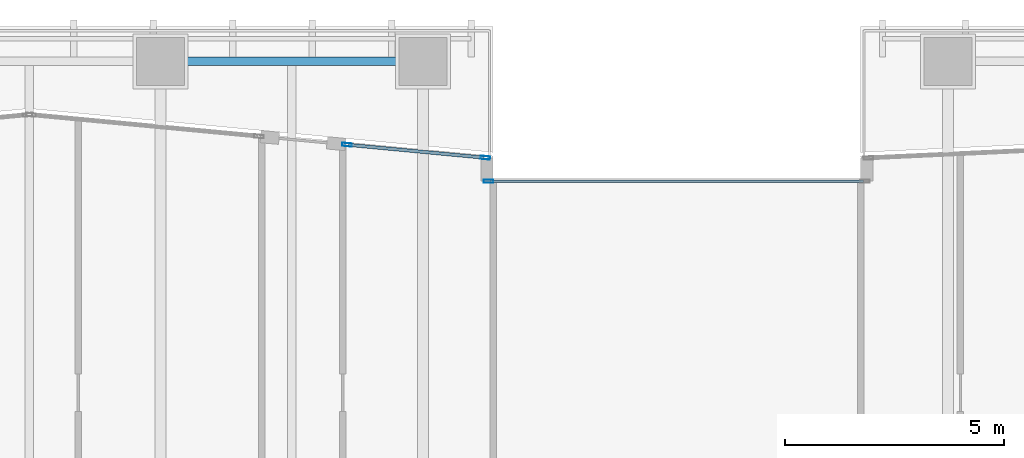
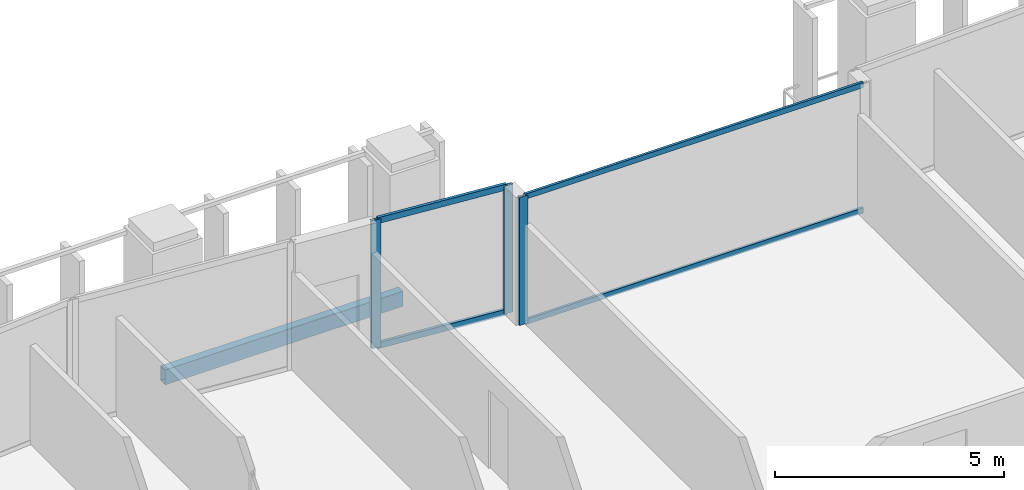
# One storey, part 10 of 31: 7 members, 1 beam, 2 elements without a shape of their own.
"""IFC4 building model written with IfcOpenShell, lengths in metres."""

from ifc_helpers import new_model, si_unit, direction, frame, origin, origin_2d, place, context, subcontext, project, spatial, hollow_rectangle, extrude, material, layer, layer_set, material_profile, profile_set, type_object, element, aggregate, save


model = new_model("IFC4")

# Units and contexts
model_context = context("Model", 3, precision=1e-05, world=origin(), true_north=direction((0.0, 1.0)))
body_context = subcontext(model_context, "Body", "Model", "MODEL_VIEW")
ifc_project = project(units=[si_unit("LENGTHUNIT", "METRE"), si_unit("AREAUNIT", "SQUARE_METRE"), si_unit("VOLUMEUNIT", "CUBIC_METRE"), si_unit("PLANEANGLEUNIT", "RADIAN"), si_unit("MASSUNIT", "GRAM", prefix="KILO")], contexts=[model_context])

# Site, building, storey
site_placement = place(None, origin())
site = spatial("IfcSite", under=ifc_project, at=site_placement, CompositionType="ELEMENT")
building_placement = place(site_placement, origin())
building = spatial("IfcBuilding", under=site, at=building_placement, Name="Tanjung Sevakor Pilgrim Tower", CompositionType="ELEMENT")
storey_placement = place(building_placement, frame((0.0, 0.0, 58.739990234375)))
storey = spatial("IfcBuildingStorey", under=building, at=storey_placement, Name="L16", CompositionType="ELEMENT", Elevation=58.739990234375)

# Beam
ifc_material_1 = material(Name="Steel S355J2", Category="steel")
ifc_material_profile_1 = material_profile(ifc_material_1, hollow_rectangle(XDim=0.199951171875, YDim=0.39990234375, WallThickness=0.01611328125, at=origin_2d()))
ifc_profile_set_1 = profile_set([ifc_material_profile_1], Name="Steel S355J2")
beam_type = type_object("IfcBeamType", Name="BM-B-SP2-RHS_400x200x16", PredefinedType="SPANDREL", material=ifc_profile_set_1)
beam_placement = place(storey_placement, frame((36.0, 58.800048828125, -0.419921875), z_axis=(1.0, 0.0, 0.0), x_axis=(0.0, 1.0, 0.0)))
element("IfcBeam", 1, at=beam_placement, inside=storey, type_object=beam_type, Name="L16 Spandrel MAIN N-06", PredefinedType="SPANDREL", context=body_context, shape_type="SweptSolid", body=[
    extrude(hollow_rectangle(XDim=0.199951171875, YDim=0.39990234375, WallThickness=0.01611328125, at=origin_2d()), origin(), (0.0, 0.0, 1.0), 6.0),
])

# Curtain wall, member
ifc_material_2 = material(Name="Aluminium 6063-T6 and Low-E Glass", Category="aluminium")
ifc_layer_1 = layer(ifc_material_2, 0.179931640625)
ifc_layer_set_1 = layer_set([ifc_layer_1], Name="CW-SYS-CLEFT")
curtain_wall_type_1 = type_object("IfcCurtainWallType", Name="CW-SYS-CLEFT", PredefinedType="NOTDEFINED", material=ifc_layer_set_1)
curtain_wall_1_placement = place(storey_placement, origin())
curtain_wall_1 = element("IfcCurtainWall", 2, at=curtain_wall_1_placement, inside=storey, type_object=curtain_wall_type_1, Name="L16 Curtain Wall CW-CLF-L16-25", PredefinedType="NOTDEFINED")
ifc_material_3 = material(Name="Aluminium 6063-T6", Category="aluminium")
ifc_material_profile_2 = material_profile(ifc_material_3, hollow_rectangle(XDim=0.074951171875, YDim=0.219970703125, WallThickness=0.0048828125, at=origin_2d()))
ifc_profile_set_2 = profile_set([ifc_material_profile_2], Name="Aluminium 6063-T6")
member_type_1 = type_object("IfcMemberType", Name="TYPE-CWM-2", PredefinedType="MULLION", material=ifc_profile_set_2)
member_1_placement = place(storey_placement, frame((43.49755859375, 56.06005859375, 0.0), z_axis=(0.0, 0.0, 1.0), x_axis=(0.0, -1.0, 0.0)))
member_1 = element("IfcMember", 3, at=member_1_placement, type_object=member_type_1, Name="CW-CLF mullion 2", PredefinedType="MULLION", context=body_context, shape_type="SweptSolid", body=[
    extrude(hollow_rectangle(XDim=0.074951171875, YDim=0.219970703125, WallThickness=0.0048828125, at=origin_2d()), origin(), (0.0, 0.0, 1.0), 3.409912109375),
])

# Curtain wall, members
ifc_material_4 = material(Name="Aluminium 6063-T6 and Low-E Glass", Category="aluminium")
ifc_layer_2 = layer(ifc_material_4, 0.199951171875)
ifc_layer_set_2 = layer_set([ifc_layer_2], Name="CW-SYS-PRAY")
curtain_wall_type_2 = type_object("IfcCurtainWallType", Name="CW-SYS-PRAY", PredefinedType="NOTDEFINED", material=ifc_layer_set_2)
curtain_wall_2_placement = place(storey_placement, origin())
curtain_wall_2 = element("IfcCurtainWall", 4, at=curtain_wall_2_placement, inside=storey, type_object=curtain_wall_type_2, Name="L16 Curtain Wall CW-PRY-L16-27A", PredefinedType="NOTDEFINED")
member_2_placement = place(storey_placement, frame((43.422607421875, 56.59619140625, 0.0), z_axis=(0.0, 0.0, 1.0), x_axis=(-0.0939087841, -0.995580805494, 0.0)))
member_2 = element("IfcMember", 5, at=member_2_placement, type_object=member_type_1, Name="CW-PRY mullion 1", PredefinedType="MULLION", context=body_context, shape_type="SweptSolid", body=[
    extrude(hollow_rectangle(XDim=0.074951171875, YDim=0.219970703125, WallThickness=0.0048828125, at=origin_2d()), origin(), (0.0, 0.0, 1.0), 3.409912109375),
])
member_3_placement = place(storey_placement, frame((40.26171875, 56.894287109375, 0.0), z_axis=(0.0, 0.0, 1.0), x_axis=(-0.0939087841, -0.995580805494, 0.0)))
member_3 = element("IfcMember", 6, at=member_3_placement, type_object=member_type_1, Name="CW-PRY mullion 2", PredefinedType="MULLION", context=body_context, shape_type="SweptSolid", body=[
    extrude(hollow_rectangle(XDim=0.074951171875, YDim=0.219970703125, WallThickness=0.0048828125, at=origin_2d()), origin(), (0.0, 0.0, 1.0), 3.409912109375),
])

# Member
ifc_material_5 = material(Name="Aluminium 6063-T6", Category="aluminium")
ifc_material_profile_3 = material_profile(ifc_material_5, hollow_rectangle(XDim=0.06494140625, YDim=0.139892578125, WallThickness=0.00390625, at=origin_2d()))
ifc_profile_set_3 = profile_set([ifc_material_profile_3], Name="Aluminium 6063-T6")
member_type_2 = type_object("IfcMemberType", Name="TYPE-CWT-1", PredefinedType="USERDEFINED", material=ifc_profile_set_3)
member_4_placement = place(storey_placement, frame((52.06494140625, 56.06005859375, 0.032470703125), z_axis=(-1.0, 0.0, 0.0), x_axis=(0.0, -1.0, 0.0)))
member_4 = element("IfcMember", 7, at=member_4_placement, type_object=member_type_2, Name="CW-CLF transom 1.1", ObjectType="TRANSOM", PredefinedType="USERDEFINED", context=body_context, shape_type="SweptSolid", body=[
    extrude(hollow_rectangle(XDim=0.06494140625, YDim=0.139892578125, WallThickness=0.00390625, at=origin_2d()), origin(), (0.0, 0.0, 1.0), 8.530029296875),
])

member_5_placement = place(storey_placement, frame((52.06494140625, 56.06005859375, 3.37744140625), z_axis=(-1.0, 0.0, 0.0), x_axis=(0.0, -1.0, 0.0)))
member_5 = element("IfcMember", 8, at=member_5_placement, type_object=member_type_2, Name="CW-CLF transom 1.2", ObjectType="TRANSOM", PredefinedType="USERDEFINED", context=body_context, shape_type="SweptSolid", body=[
    extrude(hollow_rectangle(XDim=0.06494140625, YDim=0.139892578125, WallThickness=0.00390625, at=origin_2d()), origin(), (0.0, 0.0, 1.0), 8.530029296875),
])

aggregate(curtain_wall_1, [member_1, member_4, member_5])

ifc_material_6 = material(Name="Aluminium 6063-T6", Category="aluminium")
ifc_material_profile_4 = material_profile(ifc_material_6, hollow_rectangle(XDim=0.074951171875, YDim=0.159912109375, WallThickness=0.00439453125, at=origin_2d()))
ifc_profile_set_4 = profile_set([ifc_material_profile_4], Name="Aluminium 6063-T6")
member_type_3 = type_object("IfcMemberType", Name="TYPE-CWT-2", PredefinedType="USERDEFINED", material=ifc_profile_set_4)
member_6_placement = place(storey_placement, frame((43.38525390625, 56.599609375, 0.03759765625), z_axis=(-0.995576167251, 0.093957943796, 0.0), x_axis=(-0.093957943796, -0.995576167251, 0.0)))
member_6 = element("IfcMember", 9, at=member_6_placement, type_object=member_type_3, Name="CW-PRY transom 1.1", ObjectType="TRANSOM", PredefinedType="USERDEFINED", context=body_context, shape_type="SweptSolid", body=[
    extrude(hollow_rectangle(XDim=0.074951171875, YDim=0.159912109375, WallThickness=0.00439453125, at=origin_2d()), origin(), (0.0, 0.0, 1.0), 3.099853515625),
])

member_7_placement = place(storey_placement, frame((43.38525390625, 56.599609375, 3.37255859375), z_axis=(-0.995576167251, 0.093957943796, 0.0), x_axis=(-0.093957943796, -0.995576167251, 0.0)))
member_7 = element("IfcMember", 10, at=member_7_placement, type_object=member_type_3, Name="CW-PRY transom 1.2", ObjectType="TRANSOM", PredefinedType="USERDEFINED", context=body_context, shape_type="SweptSolid", body=[
    extrude(hollow_rectangle(XDim=0.074951171875, YDim=0.159912109375, WallThickness=0.00439453125, at=origin_2d()), origin(), (0.0, 0.0, 1.0), 3.099853515625),
])

aggregate(curtain_wall_2, [member_2, member_3, member_6, member_7])

save(model, "model.ifc")
